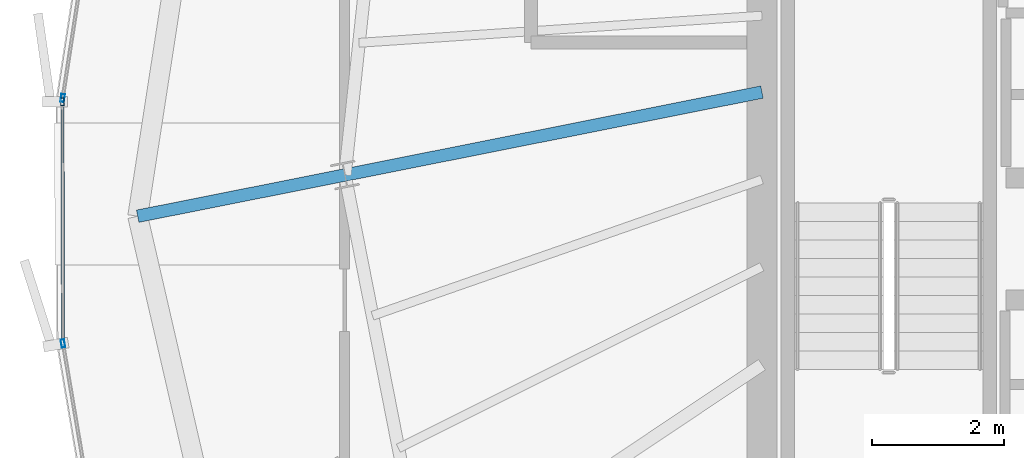
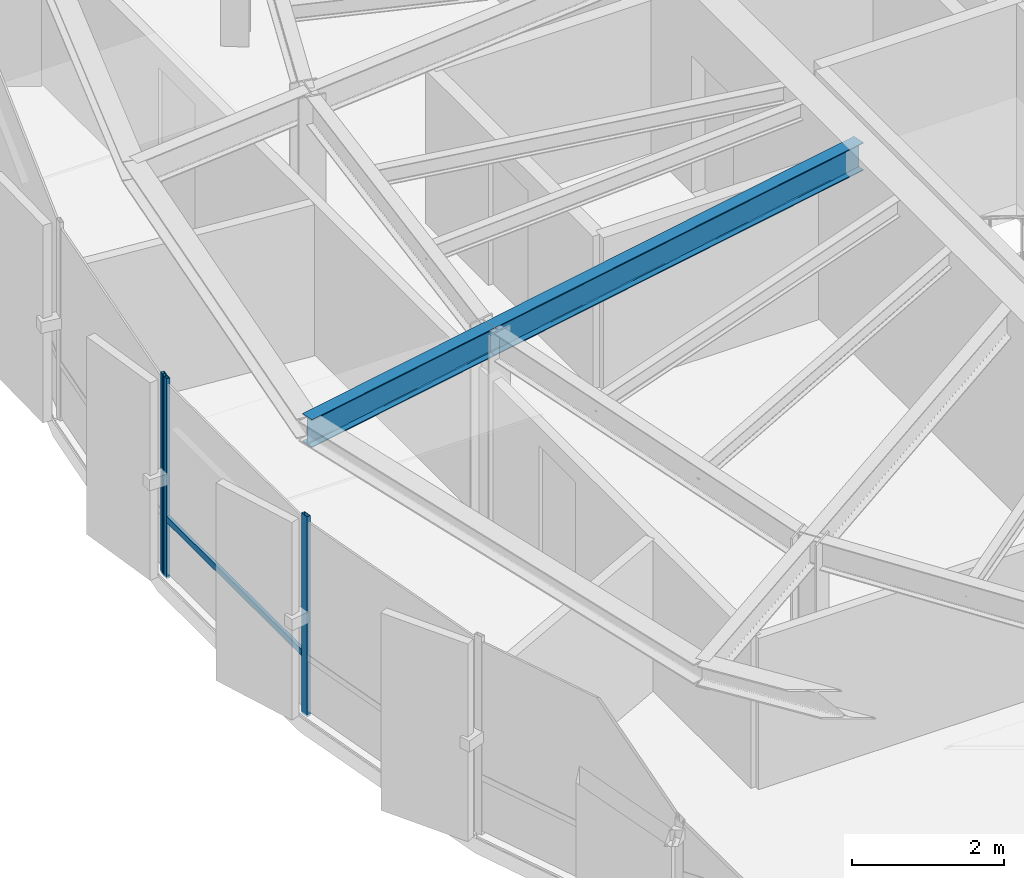
# One storey, part 9 of 31: 4 members, 2 beams, 2 elements without a shape of their own.
"""IFC4 building model written with IfcOpenShell, lengths in metres."""

from ifc_helpers import new_model, si_unit, direction, frame, origin, origin_2d, place, context, subcontext, project, spatial, hollow_rectangle, i_section, extrude, source, transform, mapped, material, layer, layer_set, material_profile, profile_set, type_object, element, aggregate, save


model = new_model("IFC4")

# Units and contexts
model_context = context("Model", 3, precision=1e-05, world=origin(), true_north=direction((0.0, 1.0)))
body_context = subcontext(model_context, "Body", "Model", "MODEL_VIEW")
ifc_project = project(units=[si_unit("LENGTHUNIT", "METRE"), si_unit("AREAUNIT", "SQUARE_METRE"), si_unit("VOLUMEUNIT", "CUBIC_METRE"), si_unit("PLANEANGLEUNIT", "RADIAN"), si_unit("MASSUNIT", "GRAM", prefix="KILO"), si_unit("THERMODYNAMICTEMPERATUREUNIT", "KELVIN")], contexts=[model_context])

# Site, building, storey
site_placement = place(None, origin())
site = spatial("IfcSite", under=ifc_project, at=site_placement, CompositionType="ELEMENT")
building_placement = place(site_placement, origin())
building = spatial("IfcBuilding", under=site, at=building_placement, Name="Kethvar Cultural Tower", CompositionType="ELEMENT")
storey_placement = place(building_placement, frame((0.0, 0.0, 276.699951171875)))
storey = spatial("IfcBuildingStorey", under=building, at=storey_placement, Name="L73", CompositionType="ELEMENT", Elevation=276.699951171875)

# Beams
ifc_material_1 = material(Name="Steel S355J2", Category="steel")
ifc_material_profile_1 = material_profile(ifc_material_1, i_section(OverallWidth=0.18994140625, OverallDepth=0.449951171875, WebThickness=0.009521484375, FlangeThickness=0.0146484375, FilletRadius=0.02099609375, at=origin_2d()), Name="Steel S355J2 — IPE450")
ifc_profile_set_1 = profile_set([ifc_material_profile_1], Name="Steel S355J2 — IPE450")
beam_type = type_object("IfcBeamType", Name="BM-IPE450", PredefinedType="BEAM", material=ifc_profile_set_1)
shared_shape_1 = source(origin(), body_context, "Body", "SweptSolid", [
    extrude(i_section(OverallWidth=0.18994140625, OverallDepth=0.449951171875, WebThickness=0.009521484375, FlangeThickness=0.0146484375, FilletRadius=0.02099609375, at=origin_2d()), origin(), (0.0, 0.0, 1.0), 3.2001953125),
])
beam_1_placement = place(storey_placement, frame((31.68310546875, 24.79296875, 2.983154296875), z_axis=(-0.980788453702, -0.195074368086, 0.0), x_axis=(0.195074368086, -0.980788453702, 0.0)))
element("IfcBeam", 1, at=beam_1_placement, inside=storey, type_object=beam_type, Name="L73 Perimeter Cantilever Beam RC-09", PredefinedType="BEAM", context=body_context, shape_type="MappedRepresentation", body=[
    mapped(shared_shape_1, transform((0.0, 0.0, 0.0), scale=1.0)),
])
shared_shape_2 = source(origin(), body_context, "Body", "SweptSolid", [
    extrude(i_section(OverallWidth=0.18994140625, OverallDepth=0.449951171875, WebThickness=0.009521484375, FlangeThickness=0.0146484375, FilletRadius=0.02099609375, at=origin_2d()), origin(), (0.0, 0.0, 1.0), 6.440673828125),
])
beam_2_placement = place(storey_placement, frame((38.0, 26.049560546875, 2.983154296875), z_axis=(-0.980782804096, -0.195102770839, 0.0), x_axis=(0.195102770839, -0.980782804096, 0.0)))
element("IfcBeam", 2, at=beam_2_placement, inside=storey, type_object=beam_type, Name="L73 Primary Radial Beam RB-09", PredefinedType="BEAM", context=body_context, shape_type="MappedRepresentation", body=[
    mapped(shared_shape_2, transform((0.0, 0.0, 0.0), scale=1.0)),
])

# Curtain wall, member
ifc_material_2 = material(Name="Aluminium 6063-T6", Category="aluminium")
ifc_layer = layer(ifc_material_2, 0.179931640625, Name="Aluminium 6063-T6", Category="aluminium")
ifc_layer_set = layer_set([ifc_layer], Name="Aluminium 6063-T6 (180 mm)")
curtain_wall_type = type_object("IfcCurtainWallType", Name="CW-SYS-05-Z56", PredefinedType="NOTDEFINED", material=ifc_layer_set)
curtain_wall_1_placement = place(storey_placement, origin())
curtain_wall_1 = element("IfcCurtainWall", 3, at=curtain_wall_1_placement, inside=storey, type_object=curtain_wall_type, Name="L73 Curtain Wall Run 02", PredefinedType="NOTDEFINED")
ifc_material_profile_2 = material_profile(ifc_material_2, hollow_rectangle(XDim=0.054931640625, YDim=0.1201171875, WallThickness=0.00390625, at=origin_2d()), Name="Aluminium 6063-T6 — RHS120x55x4")
ifc_profile_set_2 = profile_set([ifc_material_profile_2], Name="Aluminium 6063-T6 — RHS120x55x4")
member_type_1 = type_object("IfcMemberType", Name="CW-SYS-05-Z56-MUL", PredefinedType="MULLION", material=ifc_profile_set_2)
shared_shape_3 = source(origin(), body_context, "Body", "SweptSolid", [
    extrude(hollow_rectangle(XDim=0.054931640625, YDim=0.1201171875, WallThickness=0.00390625, at=origin_2d()), origin(), (0.0, 0.0, 1.0), 3.2099609375),
])
member_1_placement = place(storey_placement, frame((27.408203125, 25.9580078125, 0.0), z_axis=(0.0, 0.0, 1.0), x_axis=(0.988284387305, -0.152623621397, 0.0)))
member_1 = element("IfcMember", 4, at=member_1_placement, type_object=member_type_1, Name="CW-L73-R02 Mullion 7", PredefinedType="MULLION", context=body_context, shape_type="MappedRepresentation", body=[
    mapped(shared_shape_3, transform((0.0, 0.0, 0.0), scale=1.0)),
])
aggregate(curtain_wall_1, [member_1])

# Curtain wall, members
curtain_wall_2_placement = place(storey_placement, origin())
curtain_wall_2 = element("IfcCurtainWall", 5, at=curtain_wall_2_placement, inside=storey, type_object=curtain_wall_type, Name="L73 Curtain Wall Run 03", PredefinedType="NOTDEFINED")
member_2_placement = place(storey_placement, frame((27.404052734375, 25.90234375, 0.0), z_axis=(0.0, 0.0, 1.0), x_axis=(0.999996293418, 0.002722710269, 0.0)))
member_2 = element("IfcMember", 6, at=member_2_placement, type_object=member_type_1, Name="CW-L73-R03 Mullion 1", PredefinedType="MULLION", context=body_context, shape_type="MappedRepresentation", body=[
    mapped(shared_shape_3, transform((0.0, 0.0, 0.0), scale=1.0)),
])
member_3_placement = place(storey_placement, frame((27.41259765625, 22.2412109375, 0.0), z_axis=(0.0, 0.0, 1.0), x_axis=(0.985867677139, 0.167525888066, 0.0)))
member_3 = element("IfcMember", 7, at=member_3_placement, type_object=member_type_1, Name="CW-L73-R03 Mullion 2", PredefinedType="MULLION", context=body_context, shape_type="MappedRepresentation", body=[
    mapped(shared_shape_3, transform((0.0, 0.0, 0.0), scale=1.0)),
])
ifc_material_profile_3 = material_profile(ifc_material_2, hollow_rectangle(XDim=0.050048828125, YDim=0.10009765625, WallThickness=0.00390625, at=origin_2d()), Name="Aluminium 6063-T6 — RHS100x50x4")
ifc_profile_set_3 = profile_set([ifc_material_profile_3], Name="Aluminium 6063-T6 — RHS100x50x4")
member_type_2 = type_object("IfcMemberType", Name="CW-SYS-05-Z56-TRN", PredefinedType="USERDEFINED", material=ifc_profile_set_3)
shared_shape_4 = source(origin(), body_context, "Body", "SweptSolid", [
    extrude(hollow_rectangle(XDim=0.050048828125, YDim=0.10009765625, WallThickness=0.00390625, at=origin_2d()), origin(), (0.0, 0.0, 1.0), 3.634033203125),
])
member_4_placement = place(storey_placement, frame((27.404052734375, 25.8984375, 0.949951171875), z_axis=(0.00268725936, -0.999996389312, 0.0), x_axis=(0.999996389312, 0.00268725936, 0.0)))
member_4 = element("IfcMember", 8, at=member_4_placement, type_object=member_type_2, Name="CW-L73-R03 Transom 1", ObjectType="TRANSOM", PredefinedType="USERDEFINED", context=body_context, shape_type="MappedRepresentation", body=[
    mapped(shared_shape_4, transform((0.0, 0.0, 0.0), scale=1.0)),
])
aggregate(curtain_wall_2, [member_2, member_3, member_4])

save(model, "model.ifc")
